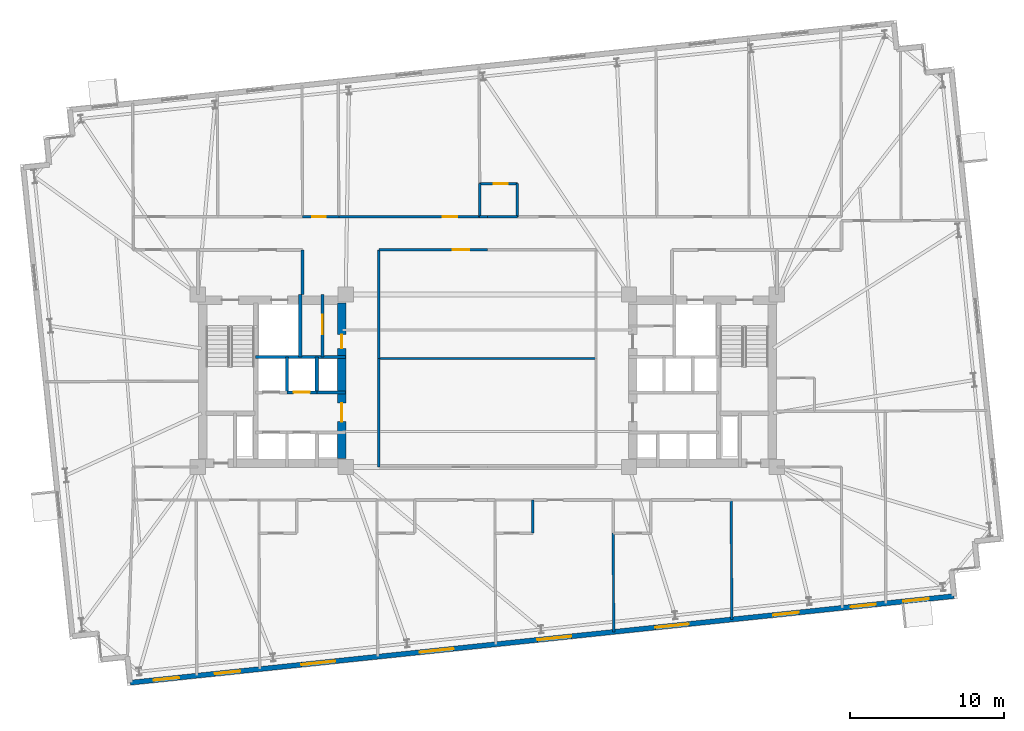
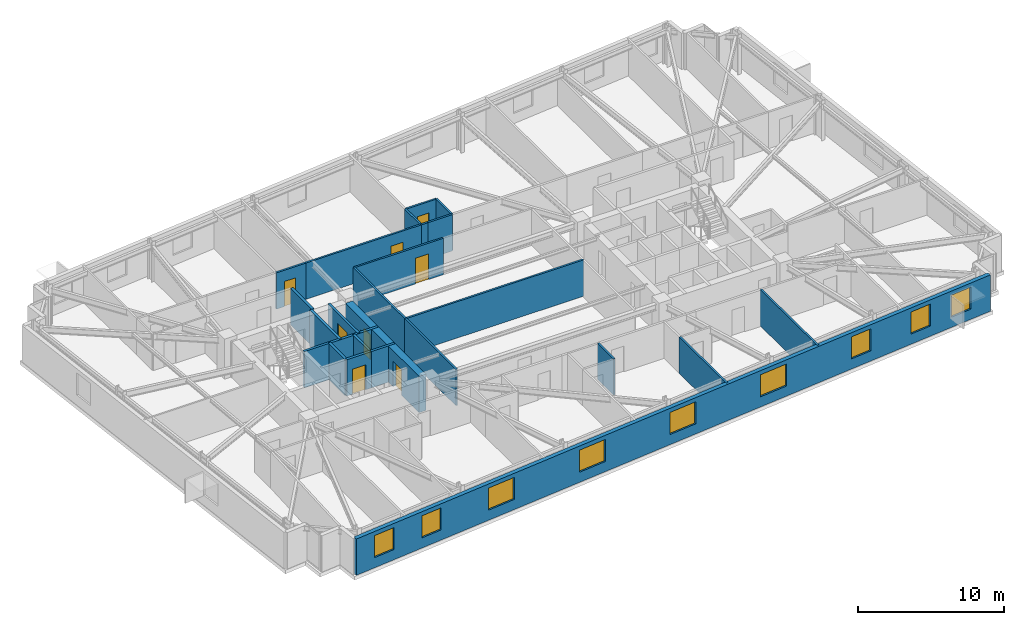
# One storey, part 13 of 18: 24 walls, 9 windows, 8 doors, 17 openings.
"""IFC4 building model written with IfcOpenShell, lengths in metres."""

from ifc_helpers import new_model, si_unit, direction, frame, frame_2d, origin, place, context, subcontext, project, spatial, rectangle, extrude, material, layer, layer_set, type_object, element, fill, save


model = new_model("IFC4")

# Units and contexts
model_context = context("Model", 3, precision=1e-05, world=origin(), true_north=direction((0.0, 1.0)))
body_context = subcontext(model_context, "Body", "Model", "MODEL_VIEW")
ifc_project = project(units=[si_unit("LENGTHUNIT", "METRE"), si_unit("AREAUNIT", "SQUARE_METRE"), si_unit("VOLUMEUNIT", "CUBIC_METRE"), si_unit("PLANEANGLEUNIT", "RADIAN"), si_unit("MASSUNIT", "GRAM", prefix="KILO")], contexts=[model_context])

# Site, building, storey
site_placement = place(None, origin())
site = spatial("IfcSite", under=ifc_project, at=site_placement, CompositionType="ELEMENT")
building_placement = place(site_placement, origin())
building = spatial("IfcBuilding", under=site, at=building_placement, Name="Qobustan Lattice House", CompositionType="ELEMENT")
storey_placement = place(building_placement, frame((0.0, 0.0, 92.39990234375)))
storey = spatial("IfcBuildingStorey", under=building, at=storey_placement, Name="L25", CompositionType="ELEMENT", Elevation=92.39990234375)

# Wall, openings, doors
ifc_material_1 = material(Name="Concrete C60/75", Category="concrete")
ifc_layer_1 = layer(ifc_material_1, 0.56005859375)
ifc_layer_set_1 = layer_set([ifc_layer_1], Name="Concrete C60/75")
wall_type_1 = type_object("IfcWallType", Name="WAL-CORE-600", PredefinedType="SHEAR", material=ifc_layer_set_1)
wall_1_placement = place(storey_placement, frame((-9.449951171875, -5.050048828125, 0.0), z_axis=(0.0, 0.0, 1.0), x_axis=(0.0, 1.0, 0.0)))
wall_1 = element("IfcWall", 1, at=wall_1_placement, inside=storey, type_object=wall_type_1, Name="L25 split-core shear wall CW-E", PredefinedType="SHEAR", context=body_context, shape_type="SweptSolid", body=[
    extrude(rectangle(XDim=10.10009765625, YDim=0.56005859375, at=frame_2d((5.050048828125, 0.0))), origin(), (0.0, 0.0, 1.0), 3.045166015625),
])
opening_1_placement = place(wall_1_placement, frame((7.14990234375, 0.0, 0.0)))
opening_1 = element("IfcOpeningElement", 2, at=opening_1_placement, cuts=wall_1, Name="Opening RD-01", PredefinedType="OPENING", context=body_context, shape_type="SweptSolid", body=[
    extrude(rectangle(XDim=0.89990234375, YDim=2.10009765625, at=frame_2d((0.449951171875, 1.050048828125))), frame((0.0, 0.2900390625, 0.0), z_axis=(0.0, -1.0, 0.0), x_axis=(1.0, 0.0, 0.0)), (0.0, 0.0, 1.0), 0.580078125),
])
opening_2_placement = place(wall_1_placement, frame((2.39990234375, 0.0, 0.0)))
opening_2 = element("IfcOpeningElement", 3, at=opening_2_placement, cuts=wall_1, Name="Opening FD-01", PredefinedType="OPENING", context=body_context, shape_type="SweptSolid", body=[
    extrude(rectangle(XDim=1.199951171875, YDim=2.14990234375, at=frame_2d((0.60009765625, 1.074951171875))), frame((0.0, 0.2900390625, 0.0), z_axis=(0.0, -1.0, 0.0), x_axis=(1.0, 0.0, 0.0)), (0.0, 0.0, 1.0), 0.580078125),
])
ifc_material_2 = material(Name="Persian walnut timber and steel frame door", Category="steel")
door_type_1 = type_object("IfcDoorType", Name="DOR-LOBBY-FD-1200x2150", OperationType="NOTDEFINED", PredefinedType="DOOR", material=ifc_material_2)
door_1_placement = place(opening_2_placement, origin())
door_1 = element("IfcDoor", 4, at=door_1_placement, inside=storey, type_object=door_type_1, Name="L25 West passenger lift lobby fire door", OperationType="SINGLE_SWING_LEFT", OverallHeight=2.14990234375, OverallWidth=1.199951171875, PredefinedType="DOOR", context=body_context, shape_type="SweptSolid", body=[
    extrude(rectangle(XDim=1.199951171875, YDim=2.14990234375, at=frame_2d((0.60009765625, 1.074951171875))), frame((0.0, 0.02490234375, 0.0), z_axis=(0.0, -1.0, 0.0), x_axis=(1.0, 0.0, 0.0)), (0.0, 0.0, 1.0), 0.050048828125),
])
fill(opening_2, door_1)
ifc_material_3 = material(Name="Persian walnut timber and steel frame door", Category="steel")
door_type_2 = type_object("IfcDoorType", Name="DOR-RISER-FD-900x2100", OperationType="NOTDEFINED", PredefinedType="DOOR", material=ifc_material_3)
door_2_placement = place(opening_1_placement, origin())
door_2 = element("IfcDoor", 5, at=door_2_placement, inside=storey, type_object=door_type_2, Name="L25 Data comms closet fire door", OperationType="SINGLE_SWING_RIGHT", OverallHeight=2.10009765625, OverallWidth=0.89990234375, PredefinedType="DOOR", context=body_context, shape_type="SweptSolid", body=[
    extrude(rectangle(XDim=0.89990234375, YDim=2.10009765625, at=frame_2d((0.449951171875, 1.050048828125))), frame((0.0, 0.02490234375, 0.0), z_axis=(0.0, -1.0, 0.0), x_axis=(1.0, 0.0, 0.0)), (0.0, 0.0, 1.0), 0.050048828125),
])
fill(opening_1, door_2)

# Wall, openings, windows
ifc_material_4 = material(Name="Precast concrete C40/50", Category="concrete")
ifc_layer_2 = layer(ifc_material_4, 0.320068359375)
ifc_layer_set_2 = layer_set([ifc_layer_2], Name="Precast concrete C40/50")
wall_type_2 = type_object("IfcWallType", Name="WAL-EXT-STONE-320", PredefinedType="SOLIDWALL", material=ifc_layer_set_2)
wall_2_placement = place(storey_placement, frame((30.307373046875, -13.985595703125, 0.0), z_axis=(0.0, 0.0, 1.0), x_axis=(-0.994521628355, -0.104531003701, 0.0)))
wall_2 = element("IfcWall", 6, at=wall_2_placement, inside=storey, type_object=wall_type_2, Name="L25 exterior limestone-clad wall 20", PredefinedType="SOLIDWALL", context=body_context, shape_type="SweptSolid", body=[
    extrude(rectangle(XDim=53.800048828125, YDim=0.320068359375, at=frame_2d((26.89990234375, 0.0))), origin(), (0.0, 0.0, 1.0), 3.045166015625),
])
opening_3_placement = place(wall_2_placement, frame((1.65673828125, 0.0, 0.85009765625)))
opening_3 = element("IfcOpeningElement", 7, at=opening_3_placement, cuts=wall_2, Name="Opening WN-09", PredefinedType="OPENING", context=body_context, shape_type="SweptSolid", body=[
    extrude(rectangle(XDim=1.64990234375, YDim=1.85009765625, at=frame_2d((0.824951171875, 0.925048828125))), frame((0.0, 0.169921875, 0.0), z_axis=(0.0, -1.0, 0.0), x_axis=(1.0, 0.0, 0.0)), (0.0, 0.0, 1.0), 0.340087890625),
])
opening_4_placement = place(wall_2_placement, frame((5.099365234375, 0.0, 0.85009765625)))
opening_4 = element("IfcOpeningElement", 8, at=opening_4_placement, cuts=wall_2, Name="Opening WN-09", PredefinedType="OPENING", context=body_context, shape_type="SweptSolid", body=[
    extrude(rectangle(XDim=1.64990234375, YDim=1.85009765625, at=frame_2d((0.824951171875, 0.925048828125))), frame((0.0, 0.169921875, 0.0), z_axis=(0.0, -1.0, 0.0), x_axis=(1.0, 0.0, 0.0)), (0.0, 0.0, 1.0), 0.340087890625),
])
opening_5_placement = place(wall_2_placement, frame((10.143310546875, 0.0, 0.85009765625)))
opening_5 = element("IfcOpeningElement", 9, at=opening_5_placement, cuts=wall_2, Name="Opening WN-09", PredefinedType="OPENING", context=body_context, shape_type="SweptSolid", body=[
    extrude(rectangle(XDim=1.64990234375, YDim=1.85009765625, at=frame_2d((0.824951171875, 0.925048828125))), frame((0.0, 0.169921875, 0.0), z_axis=(0.0, -1.0, 0.0), x_axis=(1.0, 0.0, 0.0)), (0.0, 0.0, 1.0), 0.340087890625),
])
opening_6_placement = place(wall_2_placement, frame((17.313720703125, 0.0, 0.85009765625)))
opening_6 = element("IfcOpeningElement", 10, at=opening_6_placement, cuts=wall_2, Name="Opening WN-03", PredefinedType="OPENING", context=body_context, shape_type="SweptSolid", body=[
    extrude(rectangle(XDim=2.199951171875, YDim=1.85009765625, at=frame_2d((1.10009765625, 0.925048828125))), frame((0.0, 0.169921875, 0.0), z_axis=(0.0, -1.0, 0.0), x_axis=(1.0, 0.0, 0.0)), (0.0, 0.0, 1.0), 0.340087890625),
])
opening_7_placement = place(wall_2_placement, frame((24.99951171875, 0.0, 0.85009765625)))
opening_7 = element("IfcOpeningElement", 11, at=opening_7_placement, cuts=wall_2, Name="Opening WN-03", PredefinedType="OPENING", context=body_context, shape_type="SweptSolid", body=[
    extrude(rectangle(XDim=2.199951171875, YDim=1.85009765625, at=frame_2d((1.10009765625, 0.925048828125))), frame((0.0, 0.169921875, 0.0), z_axis=(0.0, -1.0, 0.0), x_axis=(1.0, 0.0, 0.0)), (0.0, 0.0, 1.0), 0.340087890625),
])
opening_8_placement = place(wall_2_placement, frame((32.68505859375, 0.0, 0.85009765625)))
opening_8 = element("IfcOpeningElement", 12, at=opening_8_placement, cuts=wall_2, Name="Opening WN-03", PredefinedType="OPENING", context=body_context, shape_type="SweptSolid", body=[
    extrude(rectangle(XDim=2.199951171875, YDim=1.85009765625, at=frame_2d((1.10009765625, 0.925048828125))), frame((0.0, 0.169921875, 0.0), z_axis=(0.0, -1.0, 0.0), x_axis=(1.0, 0.0, 0.0)), (0.0, 0.0, 1.0), 0.340087890625),
])
opening_9_placement = place(wall_2_placement, frame((40.410888671875, 0.0, 0.85009765625)))
opening_9 = element("IfcOpeningElement", 13, at=opening_9_placement, cuts=wall_2, Name="Opening WN-03", PredefinedType="OPENING", context=body_context, shape_type="SweptSolid", body=[
    extrude(rectangle(XDim=2.199951171875, YDim=1.85009765625, at=frame_2d((1.10009765625, 0.925048828125))), frame((0.0, 0.169921875, 0.0), z_axis=(0.0, -1.0, 0.0), x_axis=(1.0, 0.0, 0.0)), (0.0, 0.0, 1.0), 0.340087890625),
])
opening_10_placement = place(wall_2_placement, frame((46.6103515625, 0.0, 0.85009765625)))
opening_10 = element("IfcOpeningElement", 14, at=opening_10_placement, cuts=wall_2, Name="Opening WN-09", PredefinedType="OPENING", context=body_context, shape_type="SweptSolid", body=[
    extrude(rectangle(XDim=1.64990234375, YDim=1.85009765625, at=frame_2d((0.824951171875, 0.925048828125))), frame((0.0, 0.169921875, 0.0), z_axis=(0.0, -1.0, 0.0), x_axis=(1.0, 0.0, 0.0)), (0.0, 0.0, 1.0), 0.340087890625),
])
opening_11_placement = place(wall_2_placement, frame((50.61328125, 0.0, 0.85009765625)))
opening_11 = element("IfcOpeningElement", 15, at=opening_11_placement, cuts=wall_2, Name="Opening WN-09", PredefinedType="OPENING", context=body_context, shape_type="SweptSolid", body=[
    extrude(rectangle(XDim=1.64990234375, YDim=1.85009765625, at=frame_2d((0.824951171875, 0.925048828125))), frame((0.0, 0.169921875, 0.0), z_axis=(0.0, -1.0, 0.0), x_axis=(1.0, 0.0, 0.0)), (0.0, 0.0, 1.0), 0.340087890625),
])
ifc_material_5 = material(Name="Double-glazed low-E aluminium window", Category="aluminium")
window_type_1 = type_object("IfcWindowType", Name="WIN-STU-1650x1850", PartitioningType="SINGLE_PANEL", PredefinedType="WINDOW", material=ifc_material_5)
window_1_placement = place(opening_3_placement, origin())
window_1 = element("IfcWindow", 16, at=window_1_placement, inside=storey, type_object=window_type_1, Name="L25 Focus study room E1B window", OverallHeight=1.85009765625, OverallWidth=1.64990234375, PartitioningType="SINGLE_PANEL", PredefinedType="WINDOW", context=body_context, shape_type="SweptSolid", body=[
    extrude(rectangle(XDim=1.64990234375, YDim=1.85009765625, at=frame_2d((0.824951171875, 0.925048828125))), frame((0.0, 0.030029296875, 0.0), z_axis=(0.0, -1.0, 0.0), x_axis=(1.0, 0.0, 0.0)), (0.0, 0.0, 1.0), 0.06005859375),
])
fill(opening_3, window_1)
window_2_placement = place(opening_4_placement, origin())
window_2 = element("IfcWindow", 17, at=window_2_placement, inside=storey, type_object=window_type_1, Name="L25 Focus study room E1A window", OverallHeight=1.85009765625, OverallWidth=1.64990234375, PartitioningType="SINGLE_PANEL", PredefinedType="WINDOW", context=body_context, shape_type="SweptSolid", body=[
    extrude(rectangle(XDim=1.64990234375, YDim=1.85009765625, at=frame_2d((0.824951171875, 0.925048828125))), frame((0.0, 0.030029296875, 0.0), z_axis=(0.0, -1.0, 0.0), x_axis=(1.0, 0.0, 0.0)), (0.0, 0.0, 1.0), 0.06005859375),
])
fill(opening_4, window_2)
window_3_placement = place(opening_5_placement, origin())
window_3 = element("IfcWindow", 18, at=window_3_placement, inside=storey, type_object=window_type_1, Name="L25 Group study room window", OverallHeight=1.85009765625, OverallWidth=1.64990234375, PartitioningType="SINGLE_PANEL", PredefinedType="WINDOW", context=body_context, shape_type="SweptSolid", body=[
    extrude(rectangle(XDim=1.64990234375, YDim=1.85009765625, at=frame_2d((0.824951171875, 0.925048828125))), frame((0.0, 0.030029296875, 0.0), z_axis=(0.0, -1.0, 0.0), x_axis=(1.0, 0.0, 0.0)), (0.0, 0.0, 1.0), 0.06005859375),
])
fill(opening_5, window_3)
window_4_placement = place(opening_10_placement, origin())
window_4 = element("IfcWindow", 19, at=window_4_placement, inside=storey, type_object=window_type_1, Name="L25 Focus study room S1B window", OverallHeight=1.85009765625, OverallWidth=1.64990234375, PartitioningType="SINGLE_PANEL", PredefinedType="WINDOW", context=body_context, shape_type="SweptSolid", body=[
    extrude(rectangle(XDim=1.64990234375, YDim=1.85009765625, at=frame_2d((0.824951171875, 0.925048828125))), frame((0.0, 0.030029296875, 0.0), z_axis=(0.0, -1.0, 0.0), x_axis=(1.0, 0.0, 0.0)), (0.0, 0.0, 1.0), 0.06005859375),
])
fill(opening_10, window_4)
window_5_placement = place(opening_11_placement, origin())
window_5 = element("IfcWindow", 20, at=window_5_placement, inside=storey, type_object=window_type_1, Name="L25 Focus study room S1A window", OverallHeight=1.85009765625, OverallWidth=1.64990234375, PartitioningType="SINGLE_PANEL", PredefinedType="WINDOW", context=body_context, shape_type="SweptSolid", body=[
    extrude(rectangle(XDim=1.64990234375, YDim=1.85009765625, at=frame_2d((0.824951171875, 0.925048828125))), frame((0.0, 0.030029296875, 0.0), z_axis=(0.0, -1.0, 0.0), x_axis=(1.0, 0.0, 0.0)), (0.0, 0.0, 1.0), 0.06005859375),
])
fill(opening_11, window_5)
ifc_material_6 = material(Name="Double-glazed low-E aluminium window", Category="aluminium")
window_type_2 = type_object("IfcWindowType", Name="WIN-WIDE-2200x1850", PartitioningType="SINGLE_PANEL", PredefinedType="WINDOW", material=ifc_material_6)
window_6_placement = place(opening_6_placement, origin())
window_6 = element("IfcWindow", 21, at=window_6_placement, inside=storey, type_object=window_type_2, Name="L25 Kitchenette and studio apartment L25-S5 window", OverallHeight=1.85009765625, OverallWidth=2.199951171875, PartitioningType="SINGLE_PANEL", PredefinedType="WINDOW", context=body_context, shape_type="SweptSolid", body=[
    extrude(rectangle(XDim=2.199951171875, YDim=1.85009765625, at=frame_2d((1.10009765625, 0.925048828125))), frame((0.0, 0.030029296875, 0.0), z_axis=(0.0, -1.0, 0.0), x_axis=(1.0, 0.0, 0.0)), (0.0, 0.0, 1.0), 0.06005859375),
])
fill(opening_6, window_6)
window_7_placement = place(opening_7_placement, origin())
window_7 = element("IfcWindow", 22, at=window_7_placement, inside=storey, type_object=window_type_2, Name="L25 Kitchenette and studio apartment L25-S4 window", OverallHeight=1.85009765625, OverallWidth=2.199951171875, PartitioningType="SINGLE_PANEL", PredefinedType="WINDOW", context=body_context, shape_type="SweptSolid", body=[
    extrude(rectangle(XDim=2.199951171875, YDim=1.85009765625, at=frame_2d((1.10009765625, 0.925048828125))), frame((0.0, 0.030029296875, 0.0), z_axis=(0.0, -1.0, 0.0), x_axis=(1.0, 0.0, 0.0)), (0.0, 0.0, 1.0), 0.06005859375),
])
fill(opening_7, window_7)
window_8_placement = place(opening_8_placement, origin())
window_8 = element("IfcWindow", 23, at=window_8_placement, inside=storey, type_object=window_type_2, Name="L25 Kitchenette and studio apartment L25-S3 window", OverallHeight=1.85009765625, OverallWidth=2.199951171875, PartitioningType="SINGLE_PANEL", PredefinedType="WINDOW", context=body_context, shape_type="SweptSolid", body=[
    extrude(rectangle(XDim=2.199951171875, YDim=1.85009765625, at=frame_2d((1.10009765625, 0.925048828125))), frame((0.0, 0.030029296875, 0.0), z_axis=(0.0, -1.0, 0.0), x_axis=(1.0, 0.0, 0.0)), (0.0, 0.0, 1.0), 0.06005859375),
])
fill(opening_8, window_8)
window_9_placement = place(opening_9_placement, origin())
window_9 = element("IfcWindow", 24, at=window_9_placement, inside=storey, type_object=window_type_2, Name="L25 Kitchenette and studio apartment L25-S2 window", OverallHeight=1.85009765625, OverallWidth=2.199951171875, PartitioningType="SINGLE_PANEL", PredefinedType="WINDOW", context=body_context, shape_type="SweptSolid", body=[
    extrude(rectangle(XDim=2.199951171875, YDim=1.85009765625, at=frame_2d((1.10009765625, 0.925048828125))), frame((0.0, 0.030029296875, 0.0), z_axis=(0.0, -1.0, 0.0), x_axis=(1.0, 0.0, 0.0)), (0.0, 0.0, 1.0), 0.06005859375),
])
fill(opening_9, window_9)

# Wall, opening, door
ifc_material_7 = material(Name="Gypsum fireboard acoustic partition", Category="gypsum")
ifc_layer_3 = layer(ifc_material_7, 0.179931640625)
ifc_layer_set_3 = layer_set([ifc_layer_3], Name="Gypsum fireboard acoustic partition")
wall_type_3 = type_object("IfcWallType", Name="WAL-FIRE-180", PredefinedType="PARTITIONING", material=ifc_layer_set_3)
wall_3_placement = place(storey_placement, frame((-10.699951171875, 5.60009765625, 0.0), z_axis=(0.0, 0.0, 1.0), x_axis=(0.0, -1.0, 0.0)))
wall_3 = element("IfcWall", 25, at=wall_3_placement, inside=storey, type_object=wall_type_3, Name="L25 interior partition 6", PredefinedType="PARTITIONING", context=body_context, shape_type="SweptSolid", body=[
    extrude(rectangle(XDim=4.050048828125, YDim=0.179931640625, at=frame_2d((2.02490234375, 0.0))), origin(), (0.0, 0.0, 1.0), 3.045166015625),
])
opening_12_placement = place(wall_3_placement, frame((1.324951171875, 0.0, 0.0)))
opening_12 = element("IfcOpeningElement", 26, at=opening_12_placement, cuts=wall_3, Name="Opening FD-03", PredefinedType="OPENING", context=body_context, shape_type="SweptSolid", body=[
    extrude(rectangle(XDim=1.25, YDim=2.199951171875, at=frame_2d((0.625, 1.10009765625))), frame((0.0, 0.099853515625, 0.0), z_axis=(0.0, -1.0, 0.0), x_axis=(1.0, 0.0, 0.0)), (0.0, 0.0, 1.0), 0.199951171875),
])
ifc_material_8 = material(Name="Persian walnut timber and steel frame door", Category="steel")
door_type_3 = type_object("IfcDoorType", Name="DOR-PLANT-1250x2200", OperationType="NOTDEFINED", PredefinedType="DOOR", material=ifc_material_8)
door_3_placement = place(opening_12_placement, origin())
door_3 = element("IfcDoor", 27, at=door_3_placement, inside=storey, type_object=door_type_3, Name="L25 Data comms closet to Linen store door", OperationType="SINGLE_SWING_LEFT", OverallHeight=2.199951171875, OverallWidth=1.25, PredefinedType="DOOR", context=body_context, shape_type="SweptSolid", body=[
    extrude(rectangle(XDim=1.25, YDim=2.199951171875, at=frame_2d((0.625, 1.10009765625))), frame((0.0, 0.02490234375, 0.0), z_axis=(0.0, -1.0, 0.0), x_axis=(1.0, 0.0, 0.0)), (0.0, 0.0, 1.0), 0.050048828125),
])
fill(opening_12, door_3)

ifc_material_9 = material(Name="Acoustic twin-stud gypsum partition", Category="gypsum")
ifc_layer_4 = layer(ifc_material_9, 0.14990234375)
ifc_layer_set_4 = layer_set([ifc_layer_4], Name="Acoustic twin-stud gypsum partition")
wall_type_4 = type_object("IfcWallType", Name="WAL-PART-150", PredefinedType="PARTITIONING", material=ifc_layer_set_4)
wall_4_placement = place(storey_placement, frame((-9.64990234375, 10.64990234375, 0.0), z_axis=(0.0, 0.0, 1.0), x_axis=(1.0, 0.0, 0.0)))
wall_4 = element("IfcWall", 28, at=wall_4_placement, inside=storey, type_object=wall_type_4, Name="L25 interior partition 43", PredefinedType="PARTITIONING", context=body_context, shape_type="SweptSolid", body=[
    extrude(rectangle(XDim=9.14990234375, YDim=0.14990234375, at=frame_2d((4.574951171875, 0.0))), origin(), (0.0, 0.0, 1.0), 3.045166015625),
])
opening_13_placement = place(wall_4_placement, frame((6.739990234375, 0.0, 0.0)))
opening_13 = element("IfcOpeningElement", 29, at=opening_13_placement, cuts=wall_4, Name="Opening ID-01", PredefinedType="OPENING", context=body_context, shape_type="SweptSolid", body=[
    extrude(rectangle(XDim=0.949951171875, YDim=2.10009765625, at=frame_2d((0.47509765625, 1.050048828125))), frame((0.0, 0.0849609375, 0.0), z_axis=(0.0, -1.0, 0.0), x_axis=(1.0, 0.0, 0.0)), (0.0, 0.0, 1.0), 0.169921875),
])
ifc_material_10 = material(Name="Persian walnut timber and steel frame door", Category="steel")
door_type_4 = type_object("IfcDoorType", Name="DOR-ROOM-950x2100", OperationType="NOTDEFINED", PredefinedType="DOOR", material=ifc_material_10)
door_4_placement = place(opening_13_placement, origin())
door_4 = element("IfcDoor", 30, at=door_4_placement, inside=storey, type_object=door_type_4, Name="L25 North-west floor corridor to Laundry utility room door", OperationType="SINGLE_SWING_RIGHT", OverallHeight=2.10009765625, OverallWidth=0.949951171875, PredefinedType="DOOR", context=body_context, shape_type="SweptSolid", body=[
    extrude(rectangle(XDim=0.949951171875, YDim=2.10009765625, at=frame_2d((0.47509765625, 1.050048828125))), frame((0.0, 0.02490234375, 0.0), z_axis=(0.0, -1.0, 0.0), x_axis=(1.0, 0.0, 0.0)), (0.0, 0.0, 1.0), 0.050048828125),
])
fill(opening_13, door_4)

wall_5_placement = place(storey_placement, frame((0.0, 8.5, 0.0), z_axis=(0.0, 0.0, 1.0), x_axis=(-1.0, 0.0, 0.0)))
wall_5 = element("IfcWall", 31, at=wall_5_placement, inside=storey, type_object=wall_type_4, Name="L25 interior partition 45", PredefinedType="PARTITIONING", context=body_context, shape_type="SweptSolid", body=[
    extrude(rectangle(XDim=7.050048828125, YDim=0.14990234375, at=frame_2d((3.52490234375, 0.0))), origin(), (0.0, 0.0, 1.0), 3.045166015625),
])
opening_14_placement = place(wall_5_placement, frame((1.18505859375, 0.0, 0.0)))
opening_14 = element("IfcOpeningElement", 32, at=opening_14_placement, cuts=wall_5, Name="Opening ID-02", PredefinedType="OPENING", context=body_context, shape_type="SweptSolid", body=[
    extrude(rectangle(XDim=1.050048828125, YDim=2.14990234375, at=frame_2d((0.52490234375, 1.074951171875))), frame((0.0, 0.0849609375, 0.0), z_axis=(0.0, -1.0, 0.0), x_axis=(1.0, 0.0, 0.0)), (0.0, 0.0, 1.0), 0.169921875),
])
ifc_material_11 = material(Name="Persian walnut timber and steel frame door", Category="steel")
door_type_5 = type_object("IfcDoorType", Name="DOR-STUDY-1050x2150", OperationType="NOTDEFINED", PredefinedType="DOOR", material=ifc_material_11)
door_5_placement = place(opening_14_placement, origin())
door_5 = element("IfcDoor", 33, at=door_5_placement, inside=storey, type_object=door_type_5, Name="L25 North-west floor corridor to Shared social lounge door", OperationType="SINGLE_SWING_LEFT", OverallHeight=2.14990234375, OverallWidth=1.050048828125, PredefinedType="DOOR", context=body_context, shape_type="SweptSolid", body=[
    extrude(rectangle(XDim=1.050048828125, YDim=2.14990234375, at=frame_2d((0.52490234375, 1.074951171875))), frame((0.0, 0.02490234375, 0.0), z_axis=(0.0, -1.0, 0.0), x_axis=(1.0, 0.0, 0.0)), (0.0, 0.0, 1.0), 0.050048828125),
])
fill(opening_14, door_5)

# Walls
for number, where, z_axis, x_axis, name in (
    (34, (-7.050048828125, 1.449951171875, 0.0), (0.0, 0.0, 1.0), (0.0, -1.0, 0.0), "L25 interior partition 71"),
    (35, (-7.050048828125, 8.5, 0.0), (0.0, 0.0, 1.0), (0.0, -1.0, 0.0), "L25 interior partition 72"),
):
    element("IfcWall", number, at=place(storey_placement, frame(where, z_axis=z_axis, x_axis=x_axis)), inside=storey, type_object=wall_type_4, Name=name, PredefinedType="PARTITIONING", context=body_context, shape_type="SweptSolid", body=[
        extrude(rectangle(XDim=7.050048828125, YDim=0.14990234375, at=frame_2d((3.52490234375, 0.0))), origin(), (0.0, 0.0, 1.0), 3.045166015625),
    ])
wall_6_placement = place(storey_placement, frame((8.1669921875, -9.89990234375, 0.0), z_axis=(0.0, 0.0, 1.0), x_axis=(0.006857504102, -0.999976487042, 0.0)))
element("IfcWall", 36, at=wall_6_placement, inside=storey, type_object=wall_type_4, Name="L25 interior partition 111", PredefinedType="PARTITIONING", context=body_context, shape_type="SweptSolid", body=[
    extrude(rectangle(XDim=6.408447265625, YDim=0.14990234375, at=frame_2d((3.2041015625, 0.0))), origin(), (0.0, 0.0, 1.0), 3.045166015625),
])
wall_7_placement = place(storey_placement, frame((15.8330078125, -7.75, 0.0), z_axis=(0.0, 0.0, 1.0), x_axis=(0.005668486116, -0.999983934004, 0.0)))
element("IfcWall", 37, at=wall_7_placement, inside=storey, type_object=wall_type_4, Name="L25 interior partition 115", PredefinedType="PARTITIONING", context=body_context, shape_type="SweptSolid", body=[
    extrude(rectangle(XDim=7.752685546875, YDim=0.14990234375, at=frame_2d((3.87646484375, 0.0))), origin(), (0.0, 0.0, 1.0), 3.045166015625),
])
wall_8_placement = place(storey_placement, frame((-7.050048828125, 1.449951171875, 0.0), z_axis=(0.0, 0.0, 1.0), x_axis=(1.0, 0.0, 0.0)))
element("IfcWall", 38, at=wall_8_placement, inside=storey, type_object=wall_type_4, Name="L25 interior partition 116", PredefinedType="PARTITIONING", context=body_context, shape_type="SweptSolid", body=[
    extrude(rectangle(XDim=14.10009765625, YDim=0.14990234375, at=frame_2d((7.050048828125, 0.0))), origin(), (0.0, 0.0, 1.0), 3.045166015625),
])
ifc_material_12 = material(Name="Two-hour gypsum fireboard acoustic partition", Category="gypsum")
ifc_layer_5 = layer(ifc_material_12, 0.199951171875)
ifc_layer_set_5 = layer_set([ifc_layer_5], Name="Two-hour gypsum fireboard acoustic partition")
wall_type_5 = type_object("IfcWallType", Name="WAL-PROT-200", PredefinedType="PARTITIONING", material=ifc_layer_set_5)
wall_9_placement = place(storey_placement, frame((-12.0, 5.60009765625, 0.0), z_axis=(0.0, 0.0, 1.0), x_axis=(0.0, 1.0, 0.0)))
element("IfcWall", 39, at=wall_9_placement, inside=storey, type_object=wall_type_5, Name="L25 interior partition 4", PredefinedType="PARTITIONING", context=body_context, shape_type="SweptSolid", body=[
    extrude(rectangle(XDim=2.89990234375, YDim=0.199951171875, at=frame_2d((1.449951171875, 0.0))), origin(), (0.0, 0.0, 1.0), 3.045166015625),
])
ifc_material_13 = material(Name="Concrete C40/50", Category="concrete")
ifc_layer_6 = layer(ifc_material_13, 0.199951171875)
ifc_layer_set_6 = layer_set([ifc_layer_6], Name="Concrete C40/50")
wall_type_6 = type_object("IfcWallType", Name="WAL-SHAFT-200", PredefinedType="PARTITIONING", material=ifc_layer_set_6)
wall_10_placement = place(storey_placement, frame((-12.14990234375, 1.550048828125, 0.0), z_axis=(0.0, 0.0, 1.0), x_axis=(0.0, 1.0, 0.0)))
element("IfcWall", 40, at=wall_10_placement, inside=storey, type_object=wall_type_6, Name="L25 interior partition 2", PredefinedType="PARTITIONING", context=body_context, shape_type="SweptSolid", body=[
    extrude(rectangle(XDim=4.050048828125, YDim=0.199951171875, at=frame_2d((2.02490234375, 0.0))), origin(), (0.0, 0.0, 1.0), 3.045166015625),
])

# Wall, opening, door
wall_11_placement = place(storey_placement, frame((-11.080078125, -0.75, 0.0), z_axis=(0.0, 0.0, 1.0), x_axis=(-1.0, 0.0, 0.0)))
wall_11 = element("IfcWall", 41, at=wall_11_placement, inside=storey, type_object=wall_type_6, Name="L25 interior partition 12", PredefinedType="PARTITIONING", context=body_context, shape_type="SweptSolid", body=[
    extrude(rectangle(XDim=1.93994140625, YDim=0.199951171875, at=frame_2d((0.969970703125, 0.0))), origin(), (0.0, 0.0, 1.0), 3.045166015625),
])
opening_15_placement = place(wall_11_placement, frame((0.445068359375, 0.0, 0.0)))
opening_15 = element("IfcOpeningElement", 42, at=opening_15_placement, cuts=wall_11, Name="Opening LD-01", PredefinedType="OPENING", context=body_context, shape_type="SweptSolid", body=[
    extrude(rectangle(XDim=1.050048828125, YDim=2.10009765625, at=frame_2d((0.52490234375, 1.050048828125))), frame((0.0, 0.10986328125, 0.0), z_axis=(0.0, -1.0, 0.0), x_axis=(1.0, 0.0, 0.0)), (0.0, 0.0, 1.0), 0.219970703125),
])
ifc_material_14 = material(Name="Persian walnut timber and steel frame door", Category="steel")
door_type_6 = type_object("IfcDoorType", Name="DOR-LIFT-LD-1050x2100", OperationType="NOTDEFINED", PredefinedType="DOOR", material=ifc_material_14)
door_6_placement = place(opening_15_placement, origin())
door_6 = element("IfcDoor", 43, at=door_6_placement, inside=storey, type_object=door_type_6, Name="L25 lift landing door", OperationType="DOUBLE_DOOR_SLIDING", OverallHeight=2.10009765625, OverallWidth=1.050048828125, PredefinedType="DOOR", context=body_context, shape_type="SweptSolid", body=[
    extrude(rectangle(XDim=1.050048828125, YDim=2.10009765625, at=frame_2d((0.52490234375, 1.050048828125))), frame((0.0, 0.02490234375, 0.0), z_axis=(0.0, -1.0, 0.0), x_axis=(1.0, 0.0, 0.0)), (0.0, 0.0, 1.0), 0.050048828125),
])
fill(opening_15, door_6)

# Walls
wall_12_placement = place(storey_placement, frame((-9.199951171875, -0.75, 0.0), z_axis=(0.0, 0.0, 1.0), x_axis=(-1.0, 0.0, 0.0)))
element("IfcWall", 44, at=wall_12_placement, inside=storey, type_object=wall_type_6, Name="L25 interior partition 13", PredefinedType="PARTITIONING", context=body_context, shape_type="SweptSolid", body=[
    extrude(rectangle(XDim=1.880126953125, YDim=0.199951171875, at=frame_2d((0.93994140625, 0.0))), origin(), (0.0, 0.0, 1.0), 3.045166015625),
])
for number, where, z_axis, x_axis, name in (
    (45, (-13.02001953125, -0.75, 0.0), (0.0, 0.0, 1.0), (0.0, 1.0, 0.0), "L25 interior partition 17"),
    (46, (-11.080078125, -0.75, 0.0), (0.0, 0.0, 1.0), (0.0, 1.0, 0.0), "L25 interior partition 18"),
):
    element("IfcWall", number, at=place(storey_placement, frame(where, z_axis=z_axis, x_axis=x_axis)), inside=storey, type_object=wall_type_6, Name=name, PredefinedType="PARTITIONING", context=body_context, shape_type="SweptSolid", body=[
        extrude(rectangle(XDim=2.300048828125, YDim=0.199951171875, at=frame_2d((1.14990234375, 0.0))), origin(), (0.0, 0.0, 1.0), 3.045166015625),
    ])
wall_13_placement = place(storey_placement, frame((-15.050048828125, 1.550048828125, 0.0), z_axis=(0.0, 0.0, 1.0), x_axis=(1.0, 0.0, 0.0)))
element("IfcWall", 47, at=wall_13_placement, inside=storey, type_object=wall_type_6, Name="L25 interior partition 117", PredefinedType="PARTITIONING", context=body_context, shape_type="SweptSolid", body=[
    extrude(rectangle(XDim=5.85009765625, YDim=0.199951171875, at=frame_2d((2.925048828125, 0.0))), origin(), (0.0, 0.0, 1.0), 3.045166015625),
])

# Wall, opening, door
ifc_material_15 = material(Name="Moisture-resistant acoustic plumbing wall", Category="gypsum")
ifc_layer_7 = layer(ifc_material_15, 0.14990234375)
ifc_layer_set_7 = layer_set([ifc_layer_7], Name="Moisture-resistant acoustic plumbing wall")
wall_type_7 = type_object("IfcWallType", Name="WAL-WET-150", PredefinedType="PLUMBINGWALL", material=ifc_layer_set_7)
wall_14_placement = place(storey_placement, frame((-12.0, 10.64990234375, 0.0), z_axis=(0.0, 0.0, 1.0), x_axis=(1.0, 0.0, 0.0)))
wall_14 = element("IfcWall", 48, at=wall_14_placement, inside=storey, type_object=wall_type_7, Name="L25 interior partition 42", PredefinedType="PLUMBINGWALL", context=body_context, shape_type="SweptSolid", body=[
    extrude(rectangle(XDim=2.35009765625, YDim=0.14990234375, at=frame_2d((1.175048828125, 0.0))), origin(), (0.0, 0.0, 1.0), 3.045166015625),
])
opening_16_placement = place(wall_14_placement, frame((0.6162109375, 0.0, 0.0)))
opening_16 = element("IfcOpeningElement", 49, at=opening_16_placement, cuts=wall_14, Name="Opening WD-01", PredefinedType="OPENING", context=body_context, shape_type="SweptSolid", body=[
    extrude(rectangle(XDim=0.89990234375, YDim=2.10009765625, at=frame_2d((0.449951171875, 1.050048828125))), frame((0.0, 0.0849609375, 0.0), z_axis=(0.0, -1.0, 0.0), x_axis=(1.0, 0.0, 0.0)), (0.0, 0.0, 1.0), 0.169921875),
])
ifc_material_16 = material(Name="Persian walnut timber and steel frame door", Category="steel")
door_type_7 = type_object("IfcDoorType", Name="DOR-WET-900x2100", OperationType="NOTDEFINED", PredefinedType="DOOR", material=ifc_material_16)
door_7_placement = place(opening_16_placement, origin())
door_7 = element("IfcDoor", 50, at=door_7_placement, inside=storey, type_object=door_type_7, Name="L25 North-west floor corridor to Accessible WC door", OperationType="SINGLE_SWING_LEFT", OverallHeight=2.10009765625, OverallWidth=0.89990234375, PredefinedType="DOOR", context=body_context, shape_type="SweptSolid", body=[
    extrude(rectangle(XDim=0.89990234375, YDim=2.10009765625, at=frame_2d((0.449951171875, 1.050048828125))), frame((0.0, 0.02490234375, 0.0), z_axis=(0.0, -1.0, 0.0), x_axis=(1.0, 0.0, 0.0)), (0.0, 0.0, 1.0), 0.050048828125),
])
fill(opening_16, door_7)

# Walls
wall_15_placement = place(storey_placement, frame((-0.5, 10.64990234375, 0.0), z_axis=(0.0, 0.0, 1.0), x_axis=(1.0, 0.0, 0.0)))
element("IfcWall", 51, at=wall_15_placement, inside=storey, type_object=wall_type_7, Name="L25 interior partition 44", PredefinedType="PLUMBINGWALL", context=body_context, shape_type="SweptSolid", body=[
    extrude(rectangle(XDim=0.5, YDim=0.14990234375, at=frame_2d((0.25, 0.0))), origin(), (0.0, 0.0, 1.0), 3.045166015625),
])
wall_16_placement = place(storey_placement, frame((0.0, 10.64990234375, 0.0), z_axis=(0.0, 0.0, 1.0), x_axis=(1.0, 0.0, 0.0)))
element("IfcWall", 52, at=wall_16_placement, inside=storey, type_object=wall_type_7, Name="L25 interior partition 49", PredefinedType="PLUMBINGWALL", context=body_context, shape_type="SweptSolid", body=[
    extrude(rectangle(XDim=1.949951171875, YDim=0.14990234375, at=frame_2d((0.97509765625, 0.0))), origin(), (0.0, 0.0, 1.0), 3.045166015625),
])
wall_17_placement = place(storey_placement, frame((-0.5, 12.800048828125, 0.0), z_axis=(0.0, 0.0, 1.0), x_axis=(0.0, -1.0, 0.0)))
element("IfcWall", 53, at=wall_17_placement, inside=storey, type_object=wall_type_7, Name="L25 interior partition 93", PredefinedType="PLUMBINGWALL", context=body_context, shape_type="SweptSolid", body=[
    extrude(rectangle(XDim=2.150146484375, YDim=0.14990234375, at=frame_2d((1.0751953125, 0.0))), origin(), (0.0, 0.0, 1.0), 3.045166015625),
])

# Wall, opening, door
wall_18_placement = place(storey_placement, frame((1.949951171875, 12.800048828125, 0.0), z_axis=(0.0, 0.0, 1.0), x_axis=(-1.0, 0.0, 0.0)))
wall_18 = element("IfcWall", 54, at=wall_18_placement, inside=storey, type_object=wall_type_7, Name="L25 interior partition 94", PredefinedType="PLUMBINGWALL", context=body_context, shape_type="SweptSolid", body=[
    extrude(rectangle(XDim=2.449951171875, YDim=0.14990234375, at=frame_2d((1.22509765625, 0.0))), origin(), (0.0, 0.0, 1.0), 3.045166015625),
])
opening_17_placement = place(wall_18_placement, frame((0.62890625, 0.0, 0.0)))
opening_17 = element("IfcOpeningElement", 55, at=opening_17_placement, cuts=wall_18, Name="Opening WD-01", PredefinedType="OPENING", context=body_context, shape_type="SweptSolid", body=[
    extrude(rectangle(XDim=0.89990234375, YDim=2.10009765625, at=frame_2d((0.449951171875, 1.050048828125))), frame((0.0, 0.0849609375, 0.0), z_axis=(0.0, -1.0, 0.0), x_axis=(1.0, 0.0, 0.0)), (0.0, 0.0, 1.0), 0.169921875),
])
door_8_placement = place(opening_17_placement, origin())
door_8 = element("IfcDoor", 56, at=door_8_placement, inside=storey, type_object=door_type_7, Name="L25 Kitchenette and studio apartment L25-N3 to En-suite bathroom L25-N3 door", OperationType="SINGLE_SWING_RIGHT", OverallHeight=2.10009765625, OverallWidth=0.89990234375, PredefinedType="DOOR", context=body_context, shape_type="SweptSolid", body=[
    extrude(rectangle(XDim=0.89990234375, YDim=2.10009765625, at=frame_2d((0.449951171875, 1.050048828125))), frame((0.0, 0.02490234375, 0.0), z_axis=(0.0, -1.0, 0.0), x_axis=(1.0, 0.0, 0.0)), (0.0, 0.0, 1.0), 0.050048828125),
])
fill(opening_17, door_8)

# Walls
wall_19_placement = place(storey_placement, frame((1.949951171875, 10.64990234375, 0.0), z_axis=(0.0, 0.0, 1.0), x_axis=(0.0, 1.0, 0.0)))
element("IfcWall", 57, at=wall_19_placement, inside=storey, type_object=wall_type_7, Name="L25 interior partition 95", PredefinedType="PLUMBINGWALL", context=body_context, shape_type="SweptSolid", body=[
    extrude(rectangle(XDim=2.150146484375, YDim=0.14990234375, at=frame_2d((1.0751953125, 0.0))), origin(), (0.0, 0.0, 1.0), 3.045166015625),
])
wall_20_placement = place(storey_placement, frame((2.949951171875, -9.89990234375, 0.0), z_axis=(0.0, 0.0, 1.0), x_axis=(0.0, 1.0, 0.0)))
element("IfcWall", 58, at=wall_20_placement, inside=storey, type_object=wall_type_7, Name="L25 interior partition 110", PredefinedType="PLUMBINGWALL", context=body_context, shape_type="SweptSolid", body=[
    extrude(rectangle(XDim=2.14990234375, YDim=0.14990234375, at=frame_2d((1.074951171875, 0.0))), origin(), (0.0, 0.0, 1.0), 3.045166015625),
])

save(model, "model.ifc")
